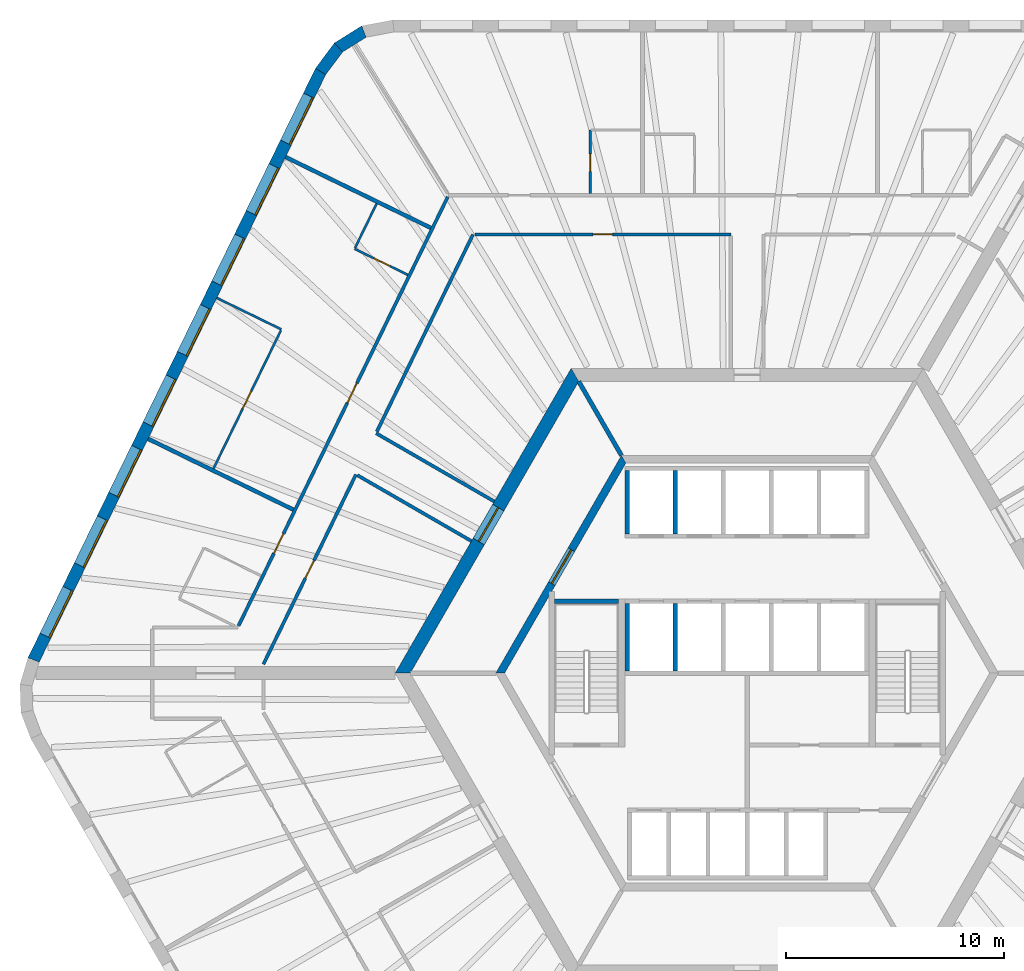
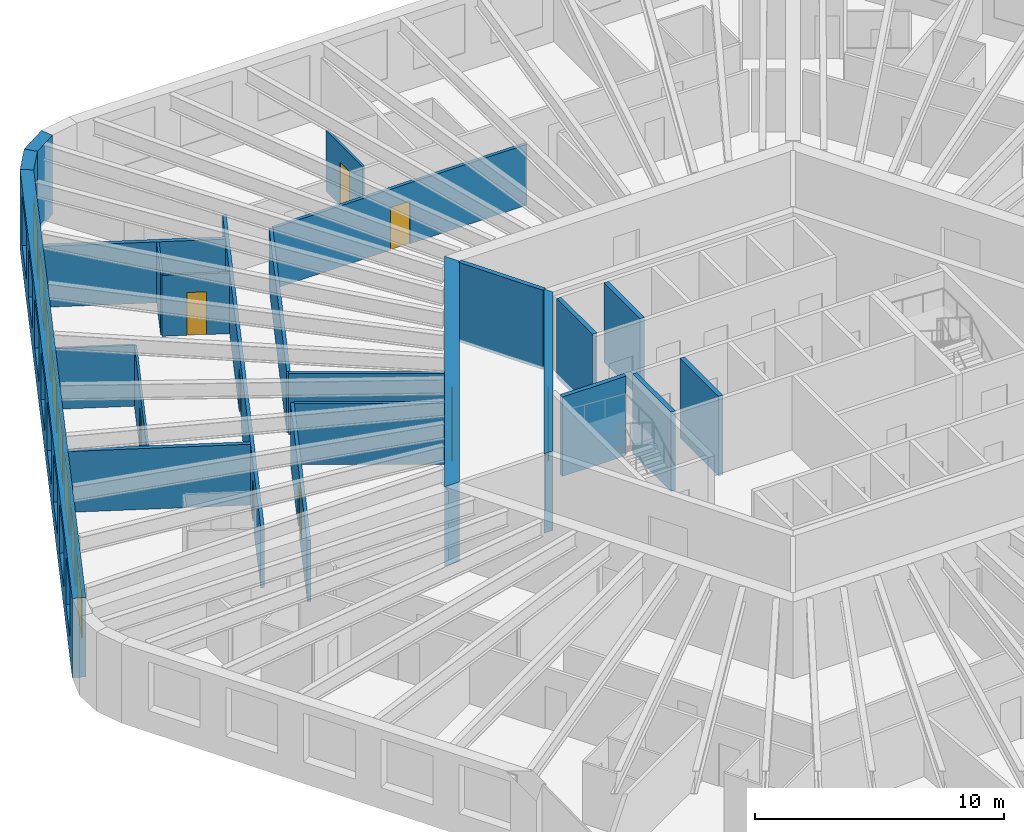
# One storey, part 7 of 11: 24 walls, 9 doors, 8 windows, 17 openings.
"""IFC4 building model written with IfcOpenShell, lengths in metres."""

from ifc_helpers import new_model, si_unit, direction, frame, frame_2d, origin, place, context, subcontext, project, spatial, polyline, rectangle, outline, extrude, material, layer, layer_set, type_object, element, fill, save


model = new_model("IFC4")

# Units and contexts
model_context = context("Model", 3, precision=1e-05, world=origin(), true_north=direction((0.0, 1.0)))
body_context = subcontext(model_context, "Body", "Model", "MODEL_VIEW")
ifc_project = project(units=[si_unit("LENGTHUNIT", "METRE"), si_unit("AREAUNIT", "SQUARE_METRE"), si_unit("VOLUMEUNIT", "CUBIC_METRE"), si_unit("PLANEANGLEUNIT", "RADIAN"), si_unit("MASSUNIT", "GRAM", prefix="KILO")], contexts=[model_context])

# Site, building, storey
site_placement = place(None, origin())
site = spatial("IfcSite", under=ifc_project, at=site_placement, CompositionType="ELEMENT")
building_placement = place(site_placement, origin())
building = spatial("IfcBuilding", under=site, at=building_placement, Name="Tarnside Tower", CompositionType="ELEMENT")
storey_placement = place(building_placement, frame((0.0, 0.0, 41.39990234375)))
storey = spatial("IfcBuildingStorey", under=building, at=storey_placement, Name="L07", CompositionType="ELEMENT", Elevation=41.39990234375)

# Wall, opening, door
ifc_material_1 = material(Name="Gypsum board partition on steel studs", Category="steel")
ifc_layer_1 = layer(ifc_material_1, 0.10009765625)
ifc_layer_set_1 = layer_set([ifc_layer_1], Name="Bathroom wall 100")
wall_type_1 = type_object("IfcWallType", Name="Bathroom wall 100", PredefinedType="PARTITIONING", material=ifc_layer_set_1)
wall_1_placement = place(storey_placement, frame((-7.2109375, 22.02490234375, 0.0), z_axis=(0.0, 0.0, 1.0), x_axis=(0.0, 1.0, 0.0)))
wall_1 = element("IfcWall", 1, at=wall_1_placement, inside=storey, type_object=wall_type_1, Name="Bathroom wall 01086", PredefinedType="PARTITIONING", context=body_context, shape_type="SweptSolid", body=[
    extrude(rectangle(XDim=2.925048828125, YDim=0.10009765625, at=frame_2d((1.46240234375, 0.0))), origin(), (0.0, 0.0, 1.0), 2.98779296875),
])
opening_1_placement = place(wall_1_placement, frame((1.02490234375, 0.0, 0.0)))
opening_1 = element("IfcOpeningElement", 2, at=opening_1_placement, cuts=wall_1, Name="Opening D-B1", PredefinedType="OPENING", context=body_context, shape_type="SweptSolid", body=[
    extrude(rectangle(XDim=0.800048828125, YDim=2.10009765625, at=frame_2d((0.39990234375, 1.050048828125))), frame((0.0, 0.06005859375, 0.0), z_axis=(0.0, -1.0, 0.0), x_axis=(1.0, 0.0, 0.0)), (0.0, 0.0, 1.0), 0.1201171875),
])
ifc_material_2 = material(Name="Timber door leaf", Category="wood")
door_type_1 = type_object("IfcDoorType", Name="Bathroom door 800", OperationType="NOTDEFINED", PredefinedType="DOOR", material=ifc_material_2)
door_1_placement = place(opening_1_placement, origin())
door_1 = element("IfcDoor", 3, at=door_1_placement, inside=storey, type_object=door_type_1, Name="Bathroom door 01006", OperationType="SINGLE_SWING_RIGHT", OverallHeight=2.10009765625, OverallWidth=0.800048828125, PredefinedType="DOOR", context=body_context, shape_type="SweptSolid", body=[
    extrude(rectangle(XDim=0.800048828125, YDim=2.10009765625, at=frame_2d((0.39990234375, 1.050048828125))), frame((0.0, 0.02490234375, 0.0), z_axis=(0.0, -1.0, 0.0), x_axis=(1.0, 0.0, 0.0)), (0.0, 0.0, 1.0), 0.050048828125),
])
fill(opening_1, door_1)

wall_2_placement = place(storey_placement, frame((-15.582763671875, 18.29345703125, 0.0), z_axis=(0.0, 0.0, 1.0), x_axis=(-0.898791692788, 0.43837597217, 0.0)))
wall_2 = element("IfcWall", 4, at=wall_2_placement, inside=storey, type_object=wall_type_1, Name="Bathroom wall 01091", PredefinedType="PARTITIONING", context=body_context, shape_type="SweptSolid", body=[
    extrude(rectangle(XDim=2.72509765625, YDim=0.10009765625, at=frame_2d((1.362548828125, 0.0))), origin(), (0.0, 0.0, 1.0), 2.98779296875),
])
opening_2_placement = place(wall_2_placement, frame((0.925048828125, 0.0, 0.0)))
opening_2 = element("IfcOpeningElement", 5, at=opening_2_placement, cuts=wall_2, Name="Opening D-B1", PredefinedType="OPENING", context=body_context, shape_type="SweptSolid", body=[
    extrude(rectangle(XDim=0.800048828125, YDim=2.10009765625, at=frame_2d((0.39990234375, 1.050048828125))), frame((0.0, 0.06005859375, 0.0), z_axis=(0.0, -1.0, 0.0), x_axis=(1.0, 0.0, 0.0)), (0.0, 0.0, 1.0), 0.1201171875),
])
door_2_placement = place(opening_2_placement, origin())
door_2 = element("IfcDoor", 6, at=door_2_placement, inside=storey, type_object=door_type_1, Name="Bathroom door 01009", OperationType="SINGLE_SWING_RIGHT", OverallHeight=2.10009765625, OverallWidth=0.800048828125, PredefinedType="DOOR", context=body_context, shape_type="SweptSolid", body=[
    extrude(rectangle(XDim=0.800048828125, YDim=2.10009765625, at=frame_2d((0.39990234375, 1.050048828125))), frame((0.0, 0.02490234375, 0.0), z_axis=(0.0, -1.0, 0.0), x_axis=(1.0, 0.0, 0.0)), (0.0, 0.0, 1.0), 0.050048828125),
])
fill(opening_2, door_2)

# Wall
wall_3_placement = place(storey_placement, frame((-18.010009765625, 19.532958984375, 0.0), z_axis=(0.0, 0.0, 1.0), x_axis=(0.438376807268, 0.898791285477, 0.0)))
element("IfcWall", 7, at=wall_3_placement, inside=storey, type_object=wall_type_1, Name="Bathroom wall 01092", PredefinedType="PARTITIONING", context=body_context, shape_type="SweptSolid", body=[
    extrude(rectangle(XDim=2.260009765625, YDim=0.10009765625, at=frame_2d((1.1298828125, 0.0))), origin(), (0.0, 0.0, 1.0), 2.98779296875),
])

# Wall, opening, door
ifc_material_3 = material(Name="Concrete C50/60", Category="concrete")
ifc_layer_2 = layer(ifc_material_3, 0.35009765625)
ifc_layer_set_2 = layer_set([ifc_layer_2], Name="Core block wall 350 C50/60")
wall_type_2 = type_object("IfcWallType", Name="Core block wall 350 C50/60", PredefinedType="SHEAR", material=ifc_layer_set_2)
wall_4_placement = place(storey_placement, frame((-5.672607421875, 9.824951171875, -0.14990234375), z_axis=(0.0, 0.0, 1.0), x_axis=(-0.499995046907, -0.866028263435, 0.0)))
wall_4 = element("IfcWall", 8, at=wall_4_placement, inside=storey, type_object=wall_type_2, Name="L07 core block wall face 2", PredefinedType="SHEAR", context=body_context, shape_type="SweptSolid", body=[
    extrude(outline(polyline([(-0.10107421875, -0.175048828125), (11.44580078125, -0.175048828125), (11.24365234375, 0.175048828125), (0.10107421875, 0.175048828125), (-0.10107421875, -0.175048828125)])), origin(), (0.0, 0.0, 1.0), 3.89990234375),
])
opening_3_placement = place(wall_4_placement, frame((4.80126953125, 0.0, 0.14990234375)))
opening_3 = element("IfcOpeningElement", 9, at=opening_3_placement, cuts=wall_4, Name="Opening CD-LOB", PredefinedType="OPENING", context=body_context, shape_type="SweptSolid", body=[
    extrude(rectangle(XDim=1.800048828125, YDim=2.39990234375, at=frame_2d((0.89990234375, 1.199951171875))), frame((0.0, 0.18505859375, 0.0), z_axis=(0.0, -1.0, 0.0), x_axis=(1.0, 0.0, 0.0)), (0.0, 0.0, 1.0), 0.3701171875),
])
ifc_material_4 = material(Name="Steel fire door", Category="steel")
door_type_2 = type_object("IfcDoorType", Name="Lobby double door FD30S 1800x2400", OperationType="NOTDEFINED", PredefinedType="DOOR", material=ifc_material_4)
door_3_placement = place(opening_3_placement, origin())
door_3 = element("IfcDoor", 10, at=door_3_placement, inside=storey, type_object=door_type_2, Name="L07 lobby block door P1", OperationType="DOUBLE_DOOR_SINGLE_SWING", OverallHeight=2.39990234375, OverallWidth=1.800048828125, PredefinedType="DOOR", context=body_context, shape_type="SweptSolid", body=[
    extrude(rectangle(XDim=1.800048828125, YDim=2.39990234375, at=frame_2d((0.89990234375, 1.199951171875))), frame((0.0, 0.02490234375, 0.0), z_axis=(0.0, -1.0, 0.0), x_axis=(1.0, 0.0, 0.0)), (0.0, 0.0, 1.0), 0.050048828125),
])
fill(opening_3, door_3)

ifc_material_5 = material(Name="Concrete C80/95", Category="concrete")
ifc_layer_3 = layer(ifc_material_5, 0.60009765625)
ifc_layer_set_3 = layer_set([ifc_layer_3], Name="Core wall Z1 600 C80/95")
wall_type_3 = type_object("IfcWallType", Name="Core wall Z1 600 C80/95", PredefinedType="SHEAR", material=ifc_layer_set_3)
wall_5_placement = place(storey_placement, frame((-7.90966796875, 13.699951171875, -0.14990234375), z_axis=(0.0, 0.0, 1.0), x_axis=(-0.499999880136, -0.866025472988, 0.0)))
wall_5 = element("IfcWall", 11, at=wall_5_placement, inside=storey, type_object=wall_type_3, Name="L07 core wall face 2", PredefinedType="SHEAR", context=body_context, shape_type="SweptSolid", body=[
    extrude(outline(polyline([(-0.17333984375, -0.300048828125), (15.99267578125, -0.300048828125), (15.64599609375, 0.300048828125), (0.17333984375, 0.300048828125), (-0.17333984375, -0.300048828125)])), origin(), (0.0, 0.0, 1.0), 3.89990234375),
])
opening_4_placement = place(wall_5_placement, frame((7.03857421875, 0.0, 0.14990234375)))
opening_4 = element("IfcOpeningElement", 12, at=opening_4_placement, cuts=wall_5, Name="Opening CD-LOB", PredefinedType="OPENING", context=body_context, shape_type="SweptSolid", body=[
    extrude(rectangle(XDim=1.800048828125, YDim=2.39990234375, at=frame_2d((0.89990234375, 1.199951171875))), frame((0.0, 0.31005859375, 0.0), z_axis=(0.0, -1.0, 0.0), x_axis=(1.0, 0.0, 0.0)), (0.0, 0.0, 1.0), 0.6201171875),
])
door_4_placement = place(opening_4_placement, origin())
door_4 = element("IfcDoor", 13, at=door_4_placement, inside=storey, type_object=door_type_2, Name="L07 core door P1", OperationType="DOUBLE_DOOR_SINGLE_SWING", OverallHeight=2.39990234375, OverallWidth=1.800048828125, PredefinedType="DOOR", context=body_context, shape_type="SweptSolid", body=[
    extrude(rectangle(XDim=1.800048828125, YDim=2.39990234375, at=frame_2d((0.89990234375, 1.199951171875))), frame((0.0, 0.02490234375, 0.0), z_axis=(0.0, -1.0, 0.0), x_axis=(1.0, 0.0, 0.0)), (0.0, 0.0, 1.0), 0.050048828125),
])
fill(opening_4, door_4)

# Wall, openings, doors
ifc_layer_4 = layer(ifc_material_1, 0.14990234375)
ifc_layer_set_4 = layer_set([ifc_layer_4], Name="Corridor wall 150 EI 60")
wall_type_4 = type_object("IfcWallType", Name="Corridor wall 150 EI 60", PredefinedType="PARTITIONING", material=ifc_layer_set_4)
wall_6_placement = place(storey_placement, frame((-13.75244140625, 21.875, 0.0), z_axis=(0.0, 0.0, 1.0), x_axis=(-0.438374473378, -0.898792423806, 0.0)))
wall_6 = element("IfcWall", 14, at=wall_6_placement, inside=storey, type_object=wall_type_4, Name="Corridor wall 01009", PredefinedType="PARTITIONING", context=body_context, shape_type="SweptSolid", body=[
    extrude(rectangle(XDim=21.918212890625, YDim=0.14990234375, at=frame_2d((10.958984375, 0.0))), origin(), (0.0, 0.0, 1.0), 2.98779296875),
])
opening_5_placement = place(wall_6_placement, frame((9.521240234375, 0.0, 0.0)))
opening_5 = element("IfcOpeningElement", 15, at=opening_5_placement, cuts=wall_6, Name="Opening D-E1", PredefinedType="OPENING", context=body_context, shape_type="SweptSolid", body=[
    extrude(rectangle(XDim=1.0, YDim=2.10009765625, at=frame_2d((0.5, 1.050048828125))), frame((0.0, 0.0849609375, 0.0), z_axis=(0.0, -1.0, 0.0), x_axis=(1.0, 0.0, 0.0)), (0.0, 0.0, 1.0), 0.169921875),
])
opening_6_placement = place(wall_6_placement, frame((17.21142578125, 0.0, 0.0)))
opening_6 = element("IfcOpeningElement", 16, at=opening_6_placement, cuts=wall_6, Name="Opening D-E1", PredefinedType="OPENING", context=body_context, shape_type="SweptSolid", body=[
    extrude(rectangle(XDim=1.0, YDim=2.10009765625, at=frame_2d((0.5, 1.050048828125))), frame((0.0, 0.0849609375, 0.0), z_axis=(0.0, -1.0, 0.0), x_axis=(1.0, 0.0, 0.0)), (0.0, 0.0, 1.0), 0.169921875),
])
door_type_3 = type_object("IfcDoorType", Name="Unit entrance door 1000 FD30S", OperationType="NOTDEFINED", PredefinedType="DOOR", material=ifc_material_2)
door_5_placement = place(opening_5_placement, origin())
door_5 = element("IfcDoor", 17, at=door_5_placement, inside=storey, type_object=door_type_3, Name="Unit door 01008", OperationType="SINGLE_SWING_LEFT", OverallHeight=2.10009765625, OverallWidth=1.0, PredefinedType="DOOR", context=body_context, shape_type="SweptSolid", body=[
    extrude(rectangle(XDim=1.0, YDim=2.10009765625, at=frame_2d((0.5, 1.050048828125))), frame((0.0, 0.02490234375, 0.0), z_axis=(0.0, -1.0, 0.0), x_axis=(1.0, 0.0, 0.0)), (0.0, 0.0, 1.0), 0.050048828125),
])
fill(opening_5, door_5)
door_6_placement = place(opening_6_placement, origin())
door_6 = element("IfcDoor", 18, at=door_6_placement, inside=storey, type_object=door_type_3, Name="Unit door 01011", OperationType="SINGLE_SWING_LEFT", OverallHeight=2.10009765625, OverallWidth=1.0, PredefinedType="DOOR", context=body_context, shape_type="SweptSolid", body=[
    extrude(rectangle(XDim=1.0, YDim=2.10009765625, at=frame_2d((0.5, 1.050048828125))), frame((0.0, 0.02490234375, 0.0), z_axis=(0.0, -1.0, 0.0), x_axis=(1.0, 0.0, 0.0)), (0.0, 0.0, 1.0), 0.050048828125),
])
fill(opening_6, door_6)

# Walls
wall_7_placement = place(storey_placement, frame((-11.61376953125, 7.88427734375, 0.0), z_axis=(0.0, 0.0, 1.0), x_axis=(-0.866025438137, 0.4999999405, 0.0)))
element("IfcWall", 19, at=wall_7_placement, inside=storey, type_object=wall_type_4, Name="Corridor wall 01016", PredefinedType="PARTITIONING", context=body_context, shape_type="SweptSolid", body=[
    extrude(rectangle(XDim=6.2705078125, YDim=0.14990234375, at=frame_2d((3.13525390625, 0.0))), origin(), (0.0, 0.0, 1.0), 2.98779296875),
])
wall_8_placement = place(storey_placement, frame((-17.01123046875, 11.087158203125, 0.0), z_axis=(0.0, 0.0, 1.0), x_axis=(0.43836877185, 0.898795204631, 0.0)))
element("IfcWall", 20, at=wall_8_placement, inside=storey, type_object=wall_type_4, Name="Corridor wall 01017", PredefinedType="PARTITIONING", context=body_context, shape_type="SweptSolid", body=[
    extrude(rectangle(XDim=10.083251953125, YDim=0.14990234375, at=frame_2d((5.04150390625, 0.0))), origin(), (0.0, 0.0, 1.0), 2.98779296875),
])

# Wall, opening, door
wall_9_placement = place(storey_placement, frame((-12.507568359375, 20.14990234375, 0.0), z_axis=(0.0, 0.0, 1.0), x_axis=(1.0, 0.0, 0.0)))
wall_9 = element("IfcWall", 21, at=wall_9_placement, inside=storey, type_object=wall_type_4, Name="Corridor wall 01018", PredefinedType="PARTITIONING", context=body_context, shape_type="SweptSolid", body=[
    extrude(rectangle(XDim=11.757568359375, YDim=0.14990234375, at=frame_2d((5.87890625, 0.0))), origin(), (0.0, 0.0, 1.0), 2.98779296875),
])
opening_7_placement = place(wall_9_placement, frame((5.428955078125, 0.0, 0.0)))
opening_7 = element("IfcOpeningElement", 22, at=opening_7_placement, cuts=wall_9, Name="Opening D-S1", PredefinedType="OPENING", context=body_context, shape_type="SweptSolid", body=[
    extrude(rectangle(XDim=0.89990234375, YDim=2.10009765625, at=frame_2d((0.449951171875, 1.050048828125))), frame((0.0, 0.0849609375, 0.0), z_axis=(0.0, -1.0, 0.0), x_axis=(1.0, 0.0, 0.0)), (0.0, 0.0, 1.0), 0.169921875),
])
door_type_4 = type_object("IfcDoorType", Name="Service room door 900 FD30S", OperationType="NOTDEFINED", PredefinedType="DOOR", material=ifc_material_2)
door_7_placement = place(opening_7_placement, origin())
door_7 = element("IfcDoor", 23, at=door_7_placement, inside=storey, type_object=door_type_4, Name="Service door 01042", OperationType="SINGLE_SWING_RIGHT", OverallHeight=2.10009765625, OverallWidth=0.89990234375, PredefinedType="DOOR", context=body_context, shape_type="SweptSolid", body=[
    extrude(rectangle(XDim=0.89990234375, YDim=2.10009765625, at=frame_2d((0.449951171875, 1.050048828125))), frame((0.0, 0.02490234375, 0.0), z_axis=(0.0, -1.0, 0.0), x_axis=(1.0, 0.0, 0.0)), (0.0, 0.0, 1.0), 0.050048828125),
])
fill(opening_7, door_7)

wall_10_placement = place(storey_placement, frame((-22.218994140625, 0.41015625, 0.0), z_axis=(0.0, 0.0, 1.0), x_axis=(0.438391891827, 0.898783927972, 0.0)))
wall_10 = element("IfcWall", 24, at=wall_10_placement, inside=storey, type_object=wall_type_4, Name="Corridor wall 01023", PredefinedType="PARTITIONING", context=body_context, shape_type="SweptSolid", body=[
    extrude(rectangle(XDim=9.698974609375, YDim=0.14990234375, at=frame_2d((4.849609375, 0.0))), origin(), (0.0, 0.0, 1.0), 2.98779296875),
])
opening_8_placement = place(wall_10_placement, frame((4.399658203125, 0.0, 0.0)))
opening_8 = element("IfcOpeningElement", 25, at=opening_8_placement, cuts=wall_10, Name="Opening D-S1", PredefinedType="OPENING", context=body_context, shape_type="SweptSolid", body=[
    extrude(rectangle(XDim=0.89990234375, YDim=2.10009765625, at=frame_2d((0.449951171875, 1.050048828125))), frame((0.0, 0.0849609375, 0.0), z_axis=(0.0, -1.0, 0.0), x_axis=(1.0, 0.0, 0.0)), (0.0, 0.0, 1.0), 0.169921875),
])
door_8_placement = place(opening_8_placement, origin())
door_8 = element("IfcDoor", 26, at=door_8_placement, inside=storey, type_object=door_type_4, Name="Service door 01044", OperationType="SINGLE_SWING_LEFT", OverallHeight=2.10009765625, OverallWidth=0.89990234375, PredefinedType="DOOR", context=body_context, shape_type="SweptSolid", body=[
    extrude(rectangle(XDim=0.89990234375, YDim=2.10009765625, at=frame_2d((0.449951171875, 1.050048828125))), frame((0.0, 0.02490234375, 0.0), z_axis=(0.0, -1.0, 0.0), x_axis=(1.0, 0.0, 0.0)), (0.0, 0.0, 1.0), 0.050048828125),
])
fill(opening_8, door_8)

# Walls
wall_11_placement = place(storey_placement, frame((-17.902099609375, 9.08984375, 0.0), z_axis=(0.0, 0.0, 1.0), x_axis=(0.866036368755, -0.499981007633, 0.0)))
element("IfcWall", 27, at=wall_11_placement, inside=storey, type_object=wall_type_4, Name="Corridor wall 01024", PredefinedType="PARTITIONING", context=body_context, shape_type="SweptSolid", body=[
    extrude(rectangle(XDim=6.048583984375, YDim=0.14990234375, at=frame_2d((3.0244140625, 0.0))), origin(), (0.0, 0.0, 1.0), 2.98779296875),
])
ifc_layer_5 = layer(ifc_material_1, 0.179931640625)
ifc_layer_set_5 = layer_set([ifc_layer_5], Name="Demising wall 180 EI 60")
wall_type_5 = type_object("IfcWallType", Name="Demising wall 180 EI 60", PredefinedType="PARTITIONING", material=ifc_layer_set_5)
wall_12_placement = place(storey_placement, frame((-21.2041015625, 23.70556640625, 0.0), z_axis=(0.0, 0.0, 1.0), x_axis=(0.898796252669, -0.438366623032, 0.0)))
element("IfcWall", 28, at=wall_12_placement, inside=storey, type_object=wall_type_5, Name="Demising wall 01089", PredefinedType="PARTITIONING", context=body_context, shape_type="SweptSolid", body=[
    extrude(rectangle(XDim=7.425048828125, YDim=0.179931640625, at=frame_2d((3.71240234375, 0.0))), origin(), (0.0, 0.0, 1.0), 2.98779296875),
])
wall_13_placement = place(storey_placement, frame((-27.5166015625, 10.762939453125, 0.0), z_axis=(0.0, 0.0, 1.0), x_axis=(0.898789933843, -0.438379578473, 0.0)))
element("IfcWall", 29, at=wall_13_placement, inside=storey, type_object=wall_type_5, Name="Demising wall 01095", PredefinedType="PARTITIONING", context=body_context, shape_type="SweptSolid", body=[
    extrude(rectangle(XDim=7.4248046875, YDim=0.179931640625, at=frame_2d((3.71240234375, 0.0))), origin(), (0.0, 0.0, 1.0), 2.98779296875),
])
ifc_material_6 = material(Name="Concrete C40/50", Category="concrete")
ifc_layer_6 = layer(ifc_material_6, 0.199951171875)
ifc_layer_set_6 = layer_set([ifc_layer_6], Name="Lift shaft wall 200 C40/50")
wall_type_6 = type_object("IfcWallType", Name="Lift shaft wall 200 C40/50", PredefinedType="SHEAR", material=ifc_layer_set_6)
for number, where, z_axis, x_axis, name in (
    (30, (-5.5, 6.39990234375, -0.25), (0.0, 0.0, 1.0), (0.0, 1.0, 0.0), "L07 lift shaft partition R11"),
    (31, (-3.300048828125, 6.39990234375, -0.25), (0.0, 0.0, 1.0), (0.0, 1.0, 0.0), "L07 lift shaft partition R12"),
):
    element("IfcWall", number, at=place(storey_placement, frame(where, z_axis=z_axis, x_axis=x_axis)), inside=storey, type_object=wall_type_6, Name=name, PredefinedType="SHEAR", context=body_context, shape_type="SweptSolid", body=[
        extrude(rectangle(XDim=2.900146484375, YDim=0.199951171875, at=frame_2d((1.4501953125, 0.0))), origin(), (0.0, 0.0, 1.0), 3.900146484375),
    ])
for number, where, z_axis, x_axis, name in (
    (32, (-5.5, 0.10009765625, -0.25), (0.0, 0.0, 1.0), (0.0, 1.0, 0.0), "L07 lift shaft partition R21"),
    (33, (-3.300048828125, 0.10009765625, -0.25), (0.0, 0.0, 1.0), (0.0, 1.0, 0.0), "L07 lift shaft partition R22"),
):
    element("IfcWall", number, at=place(storey_placement, frame(where, z_axis=z_axis, x_axis=x_axis)), inside=storey, type_object=wall_type_6, Name=name, PredefinedType="SHEAR", context=body_context, shape_type="SweptSolid", body=[
        extrude(rectangle(XDim=3.099853515625, YDim=0.199951171875, at=frame_2d((1.5498046875, 0.0))), origin(), (0.0, 0.0, 1.0), 3.900146484375),
    ])
wall_14_placement = place(storey_placement, frame((-5.7734375, 10.0, -0.14990234375), z_axis=(0.0, 0.0, 1.0), x_axis=(-0.500038251005, 0.86600331843, 0.0)))
element("IfcWall", 34, at=wall_14_placement, inside=storey, type_object=wall_type_6, Name="L07 core partition AR120", PredefinedType="SHEAR", context=body_context, shape_type="SweptSolid", body=[
    extrude(rectangle(XDim=3.926025390625, YDim=0.199951171875, at=frame_2d((1.962890625, 0.0))), origin(), (0.0, 0.0, 1.0), 3.89990234375),
])
wall_15_placement = place(storey_placement, frame((-8.85009765625, 3.300048828125, -0.25), z_axis=(0.0, 0.0, 1.0), x_axis=(1.0, 0.0, 0.0)))
element("IfcWall", 35, at=wall_15_placement, inside=storey, type_object=wall_type_6, Name="L07 stair 2 enclosure cap wall n", PredefinedType="SHEAR", context=body_context, shape_type="SweptSolid", body=[
    extrude(rectangle(XDim=2.9501953125, YDim=0.199951171875, at=frame_2d((1.47509765625, 0.0))), origin(), (0.0, 0.0, 1.0), 3.900146484375),
])
ifc_layer_7 = layer(ifc_material_1, 0.10009765625)
ifc_layer_set_7 = layer_set([ifc_layer_7], Name="Partition 100")
wall_type_7 = type_object("IfcWallType", Name="Partition 100", PredefinedType="PARTITIONING", material=ifc_layer_set_7)
wall_16_placement = place(storey_placement, frame((-24.3603515625, 17.234130859375, 0.0), z_axis=(0.0, 0.0, 1.0), x_axis=(0.898793331681, -0.43837261197, 0.0)))
element("IfcWall", 36, at=wall_16_placement, inside=storey, type_object=wall_type_7, Name="Partition wall 01093", PredefinedType="PARTITIONING", context=body_context, shape_type="SweptSolid", body=[
    extrude(rectangle(XDim=3.2998046875, YDim=0.10009765625, at=frame_2d((1.64990234375, 0.0))), origin(), (0.0, 0.0, 1.0), 2.98779296875),
])

# Wall, opening, door
wall_17_placement = place(storey_placement, frame((-21.416259765625, 15.74267578125, 0.0), z_axis=(0.0, 0.0, 1.0), x_axis=(-0.438380708798, -0.898789382533, 0.0)))
wall_17 = element("IfcWall", 37, at=wall_17_placement, inside=storey, type_object=wall_type_7, Name="Partition wall 01094", PredefinedType="PARTITIONING", context=body_context, shape_type="SweptSolid", body=[
    extrude(rectangle(XDim=7.06005859375, YDim=0.10009765625, at=frame_2d((3.530029296875, 0.0))), origin(), (0.0, 0.0, 1.0), 2.98779296875),
])
opening_9_placement = place(wall_17_placement, frame((3.10009765625, 0.0, 0.0)))
opening_9 = element("IfcOpeningElement", 38, at=opening_9_placement, cuts=wall_17, Name="Opening D-I1", PredefinedType="OPENING", context=body_context, shape_type="SweptSolid", body=[
    extrude(rectangle(XDim=0.89990234375, YDim=2.10009765625, at=frame_2d((0.449951171875, 1.050048828125))), frame((0.0, 0.06005859375, 0.0), z_axis=(0.0, -1.0, 0.0), x_axis=(1.0, 0.0, 0.0)), (0.0, 0.0, 1.0), 0.1201171875),
])
door_type_5 = type_object("IfcDoorType", Name="Internal door 900", OperationType="NOTDEFINED", PredefinedType="DOOR", material=ifc_material_2)
door_9_placement = place(opening_9_placement, origin())
door_9 = element("IfcDoor", 39, at=door_9_placement, inside=storey, type_object=door_type_5, Name="Internal door 01010", OperationType="SINGLE_SWING_LEFT", OverallHeight=2.10009765625, OverallWidth=0.89990234375, PredefinedType="DOOR", context=body_context, shape_type="SweptSolid", body=[
    extrude(rectangle(XDim=0.89990234375, YDim=2.10009765625, at=frame_2d((0.449951171875, 1.050048828125))), frame((0.0, 0.02490234375, 0.0), z_axis=(0.0, -1.0, 0.0), x_axis=(1.0, 0.0, 0.0)), (0.0, 0.0, 1.0), 0.050048828125),
])
fill(opening_9, door_9)

# Walls
ifc_material_7 = material(Name="Facing brick", Category="masonry")
ifc_layer_8 = layer(ifc_material_7, 0.10205078125)
ifc_material_8 = material(Name="Concrete C60/75 precast", Category="concrete")
ifc_layer_9 = layer(ifc_material_8, 0.347900390625)
ifc_material_9 = material(Name="Mineral wool insulation")
ifc_layer_10 = layer(ifc_material_9, 0.10009765625)
ifc_layer_set_8 = layer_set([ifc_layer_8, ifc_layer_9, ifc_layer_10], Name="Tube wall 550 brick faced")
wall_type_8 = type_object("IfcWallType", Name="Tube wall 550 brick faced", PredefinedType="SOLIDWALL", material=ifc_layer_set_8)
wall_18_placement = place(storey_placement, frame((-17.601806640625, 29.4697265625, -0.14990234375), z_axis=(0.0, 0.0, 1.0), x_axis=(-0.848057977594, -0.5299034503, 0.0)))
element("IfcWall", 40, at=wall_18_placement, inside=storey, type_object=wall_type_8, Name="Tube wall L07 F1 chord 02", PredefinedType="SOLIDWALL", context=body_context, shape_type="SweptSolid", body=[
    extrude(outline(polyline([(-0.0517578125, -0.27490234375), (1.4306640625, -0.27490234375), (1.3271484375, 0.27490234375), (0.0517578125, 0.27490234375), (-0.0517578125, -0.27490234375)])), origin(), (0.0, 0.0, 1.0), 3.89990234375),
])
wall_19_placement = place(storey_placement, frame((-18.771240234375, 28.739013671875, -0.14990234375), z_axis=(0.0, 0.0, 1.0), x_axis=(-0.597135295884, -0.802140535324, 0.0)))
element("IfcWall", 41, at=wall_19_placement, inside=storey, type_object=wall_type_8, Name="Tube wall L07 F1 chord 03", PredefinedType="SOLIDWALL", context=body_context, shape_type="SweptSolid", body=[
    extrude(outline(polyline([(-0.0517578125, -0.27490234375), (1.40478515625, -0.27490234375), (1.353515625, 0.27490234375), (0.0517578125, 0.27490234375), (-0.0517578125, -0.27490234375)])), origin(), (0.0, 0.0, 1.0), 3.89990234375),
])

# Wall, openings, windows
wall_20_placement = place(storey_placement, frame((-19.5947265625, 27.6328125, -0.14990234375), z_axis=(0.0, 0.0, 1.0), x_axis=(-0.438368285794, -0.898795441694, 0.0)))
wall_20 = element("IfcWall", 42, at=wall_20_placement, inside=storey, type_object=wall_type_8, Name="Tube wall L07 F2 flush 04", PredefinedType="SOLIDWALL", context=body_context, shape_type="SweptSolid", body=[
    extrude(outline(polyline([(-0.025634765625, -0.27490234375), (30.09326171875, -0.27490234375), (30.04833984375, 0.27490234375), (0.025634765625, 0.27490234375), (-0.025634765625, -0.27490234375)])), origin(), (0.0, 0.0, 1.0), 3.89990234375),
])
opening_10_placement = place(wall_20_placement, frame((1.235595703125, 0.0, 1.050048828125)))
opening_10 = element("IfcOpeningElement", 43, at=opening_10_placement, cuts=wall_20, Name="Opening WH", PredefinedType="OPENING", context=body_context, shape_type="SweptSolid", body=[
    extrude(rectangle(XDim=2.39990234375, YDim=2.39990234375, at=frame_2d((1.199951171875, 1.199951171875))), frame((0.0, 0.28515625, 0.0), z_axis=(0.0, -1.0, 0.0), x_axis=(1.0, 0.0, 0.0)), (0.0, 0.0, 1.0), 0.570068359375),
])
opening_11_placement = place(wall_20_placement, frame((4.83544921875, 0.0, 1.050048828125)))
opening_11 = element("IfcOpeningElement", 44, at=opening_11_placement, cuts=wall_20, Name="Opening WH", PredefinedType="OPENING", context=body_context, shape_type="SweptSolid", body=[
    extrude(rectangle(XDim=2.39990234375, YDim=2.39990234375, at=frame_2d((1.199951171875, 1.199951171875))), frame((0.0, 0.28515625, 0.0), z_axis=(0.0, -1.0, 0.0), x_axis=(1.0, 0.0, 0.0)), (0.0, 0.0, 1.0), 0.570068359375),
])
opening_12_placement = place(wall_20_placement, frame((8.435546875, 0.0, 1.050048828125)))
opening_12 = element("IfcOpeningElement", 45, at=opening_12_placement, cuts=wall_20, Name="Opening WH", PredefinedType="OPENING", context=body_context, shape_type="SweptSolid", body=[
    extrude(rectangle(XDim=2.39990234375, YDim=2.39990234375, at=frame_2d((1.199951171875, 1.199951171875))), frame((0.0, 0.28515625, 0.0), z_axis=(0.0, -1.0, 0.0), x_axis=(1.0, 0.0, 0.0)), (0.0, 0.0, 1.0), 0.570068359375),
])
opening_13_placement = place(wall_20_placement, frame((12.035400390625, 0.0, 1.050048828125)))
opening_13 = element("IfcOpeningElement", 46, at=opening_13_placement, cuts=wall_20, Name="Opening WH", PredefinedType="OPENING", context=body_context, shape_type="SweptSolid", body=[
    extrude(rectangle(XDim=2.39990234375, YDim=2.39990234375, at=frame_2d((1.199951171875, 1.199951171875))), frame((0.0, 0.28515625, 0.0), z_axis=(0.0, -1.0, 0.0), x_axis=(1.0, 0.0, 0.0)), (0.0, 0.0, 1.0), 0.570068359375),
])
opening_14_placement = place(wall_20_placement, frame((15.635498046875, 0.0, 1.050048828125)))
opening_14 = element("IfcOpeningElement", 47, at=opening_14_placement, cuts=wall_20, Name="Opening WH", PredefinedType="OPENING", context=body_context, shape_type="SweptSolid", body=[
    extrude(rectangle(XDim=2.39990234375, YDim=2.39990234375, at=frame_2d((1.199951171875, 1.199951171875))), frame((0.0, 0.28515625, 0.0), z_axis=(0.0, -1.0, 0.0), x_axis=(1.0, 0.0, 0.0)), (0.0, 0.0, 1.0), 0.570068359375),
])
opening_15_placement = place(wall_20_placement, frame((19.235595703125, 0.0, 1.050048828125)))
opening_15 = element("IfcOpeningElement", 48, at=opening_15_placement, cuts=wall_20, Name="Opening WH", PredefinedType="OPENING", context=body_context, shape_type="SweptSolid", body=[
    extrude(rectangle(XDim=2.39990234375, YDim=2.39990234375, at=frame_2d((1.199951171875, 1.199951171875))), frame((0.0, 0.28515625, 0.0), z_axis=(0.0, -1.0, 0.0), x_axis=(1.0, 0.0, 0.0)), (0.0, 0.0, 1.0), 0.570068359375),
])
opening_16_placement = place(wall_20_placement, frame((22.83544921875, 0.0, 1.050048828125)))
opening_16 = element("IfcOpeningElement", 49, at=opening_16_placement, cuts=wall_20, Name="Opening WH", PredefinedType="OPENING", context=body_context, shape_type="SweptSolid", body=[
    extrude(rectangle(XDim=2.39990234375, YDim=2.39990234375, at=frame_2d((1.199951171875, 1.199951171875))), frame((0.0, 0.28515625, 0.0), z_axis=(0.0, -1.0, 0.0), x_axis=(1.0, 0.0, 0.0)), (0.0, 0.0, 1.0), 0.570068359375),
])
opening_17_placement = place(wall_20_placement, frame((26.435546875, 0.0, 1.050048828125)))
opening_17 = element("IfcOpeningElement", 50, at=opening_17_placement, cuts=wall_20, Name="Opening WH", PredefinedType="OPENING", context=body_context, shape_type="SweptSolid", body=[
    extrude(rectangle(XDim=2.39990234375, YDim=2.39990234375, at=frame_2d((1.199951171875, 1.199951171875))), frame((0.0, 0.28515625, 0.0), z_axis=(0.0, -1.0, 0.0), x_axis=(1.0, 0.0, 0.0)), (0.0, 0.0, 1.0), 0.570068359375),
])
ifc_material_10 = material(Name="Aluminium-framed double glazing", Category="aluminium")
window_type = type_object("IfcWindowType", Name="Hotel window 2400 x 2400", PartitioningType="DOUBLE_PANEL_VERTICAL", PredefinedType="WINDOW", material=ifc_material_10)
window_1_placement = place(opening_10_placement, frame((0.0, 0.205078125, 0.0)))
window_1 = element("IfcWindow", 51, at=window_1_placement, inside=storey, type_object=window_type, Name="E.WN.L07.F2.00", OverallHeight=2.39990234375, OverallWidth=2.39990234375, PartitioningType="DOUBLE_PANEL_VERTICAL", PredefinedType="WINDOW", context=body_context, shape_type="SweptSolid", body=[
    extrude(rectangle(XDim=2.39990234375, YDim=2.39990234375, at=frame_2d((1.199951171875, 1.199951171875))), frame((0.0, 0.030029296875, 0.0), z_axis=(0.0, -1.0, 0.0), x_axis=(1.0, 0.0, 0.0)), (0.0, 0.0, 1.0), 0.06005859375),
])
fill(opening_10, window_1)
window_2_placement = place(opening_11_placement, frame((0.0, 0.205078125, 0.0)))
window_2 = element("IfcWindow", 52, at=window_2_placement, inside=storey, type_object=window_type, Name="E.WN.L07.F2.01", OverallHeight=2.39990234375, OverallWidth=2.39990234375, PartitioningType="DOUBLE_PANEL_VERTICAL", PredefinedType="WINDOW", context=body_context, shape_type="SweptSolid", body=[
    extrude(rectangle(XDim=2.39990234375, YDim=2.39990234375, at=frame_2d((1.199951171875, 1.199951171875))), frame((0.0, 0.030029296875, 0.0), z_axis=(0.0, -1.0, 0.0), x_axis=(1.0, 0.0, 0.0)), (0.0, 0.0, 1.0), 0.06005859375),
])
fill(opening_11, window_2)
window_3_placement = place(opening_12_placement, frame((0.0, 0.205078125, 0.0)))
window_3 = element("IfcWindow", 53, at=window_3_placement, inside=storey, type_object=window_type, Name="E.WN.L07.F2.02", OverallHeight=2.39990234375, OverallWidth=2.39990234375, PartitioningType="DOUBLE_PANEL_VERTICAL", PredefinedType="WINDOW", context=body_context, shape_type="SweptSolid", body=[
    extrude(rectangle(XDim=2.39990234375, YDim=2.39990234375, at=frame_2d((1.199951171875, 1.199951171875))), frame((0.0, 0.030029296875, 0.0), z_axis=(0.0, -1.0, 0.0), x_axis=(1.0, 0.0, 0.0)), (0.0, 0.0, 1.0), 0.06005859375),
])
fill(opening_12, window_3)
window_4_placement = place(opening_13_placement, frame((0.0, 0.205078125, 0.0)))
window_4 = element("IfcWindow", 54, at=window_4_placement, inside=storey, type_object=window_type, Name="E.WN.L07.F2.03", OverallHeight=2.39990234375, OverallWidth=2.39990234375, PartitioningType="DOUBLE_PANEL_VERTICAL", PredefinedType="WINDOW", context=body_context, shape_type="SweptSolid", body=[
    extrude(rectangle(XDim=2.39990234375, YDim=2.39990234375, at=frame_2d((1.199951171875, 1.199951171875))), frame((0.0, 0.030029296875, 0.0), z_axis=(0.0, -1.0, 0.0), x_axis=(1.0, 0.0, 0.0)), (0.0, 0.0, 1.0), 0.06005859375),
])
fill(opening_13, window_4)
window_5_placement = place(opening_14_placement, frame((0.0, 0.205078125, 0.0)))
window_5 = element("IfcWindow", 55, at=window_5_placement, inside=storey, type_object=window_type, Name="E.WN.L07.F2.04", OverallHeight=2.39990234375, OverallWidth=2.39990234375, PartitioningType="DOUBLE_PANEL_VERTICAL", PredefinedType="WINDOW", context=body_context, shape_type="SweptSolid", body=[
    extrude(rectangle(XDim=2.39990234375, YDim=2.39990234375, at=frame_2d((1.199951171875, 1.199951171875))), frame((0.0, 0.030029296875, 0.0), z_axis=(0.0, -1.0, 0.0), x_axis=(1.0, 0.0, 0.0)), (0.0, 0.0, 1.0), 0.06005859375),
])
fill(opening_14, window_5)
window_6_placement = place(opening_15_placement, frame((0.0, 0.205078125, 0.0)))
window_6 = element("IfcWindow", 56, at=window_6_placement, inside=storey, type_object=window_type, Name="E.WN.L07.F2.05", OverallHeight=2.39990234375, OverallWidth=2.39990234375, PartitioningType="DOUBLE_PANEL_VERTICAL", PredefinedType="WINDOW", context=body_context, shape_type="SweptSolid", body=[
    extrude(rectangle(XDim=2.39990234375, YDim=2.39990234375, at=frame_2d((1.199951171875, 1.199951171875))), frame((0.0, 0.030029296875, 0.0), z_axis=(0.0, -1.0, 0.0), x_axis=(1.0, 0.0, 0.0)), (0.0, 0.0, 1.0), 0.06005859375),
])
fill(opening_15, window_6)
window_7_placement = place(opening_16_placement, frame((0.0, 0.205078125, 0.0)))
window_7 = element("IfcWindow", 57, at=window_7_placement, inside=storey, type_object=window_type, Name="E.WN.L07.F2.06", OverallHeight=2.39990234375, OverallWidth=2.39990234375, PartitioningType="DOUBLE_PANEL_VERTICAL", PredefinedType="WINDOW", context=body_context, shape_type="SweptSolid", body=[
    extrude(rectangle(XDim=2.39990234375, YDim=2.39990234375, at=frame_2d((1.199951171875, 1.199951171875))), frame((0.0, 0.030029296875, 0.0), z_axis=(0.0, -1.0, 0.0), x_axis=(1.0, 0.0, 0.0)), (0.0, 0.0, 1.0), 0.06005859375),
])
fill(opening_16, window_7)
window_8_placement = place(opening_17_placement, frame((0.0, 0.205078125, 0.0)))
window_8 = element("IfcWindow", 58, at=window_8_placement, inside=storey, type_object=window_type, Name="E.WN.L07.F2.07", OverallHeight=2.39990234375, OverallWidth=2.39990234375, PartitioningType="DOUBLE_PANEL_VERTICAL", PredefinedType="WINDOW", context=body_context, shape_type="SweptSolid", body=[
    extrude(rectangle(XDim=2.39990234375, YDim=2.39990234375, at=frame_2d((1.199951171875, 1.199951171875))), frame((0.0, 0.030029296875, 0.0), z_axis=(0.0, -1.0, 0.0), x_axis=(1.0, 0.0, 0.0)), (0.0, 0.0, 1.0), 0.06005859375),
])
fill(opening_17, window_8)

save(model, "model.ifc")
